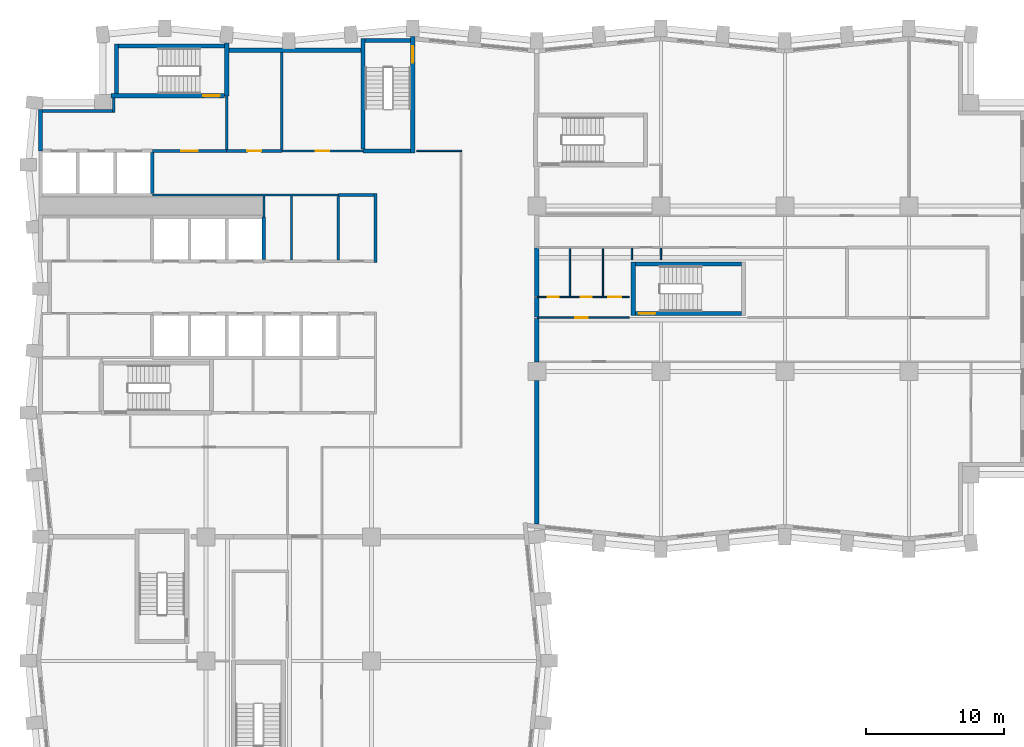
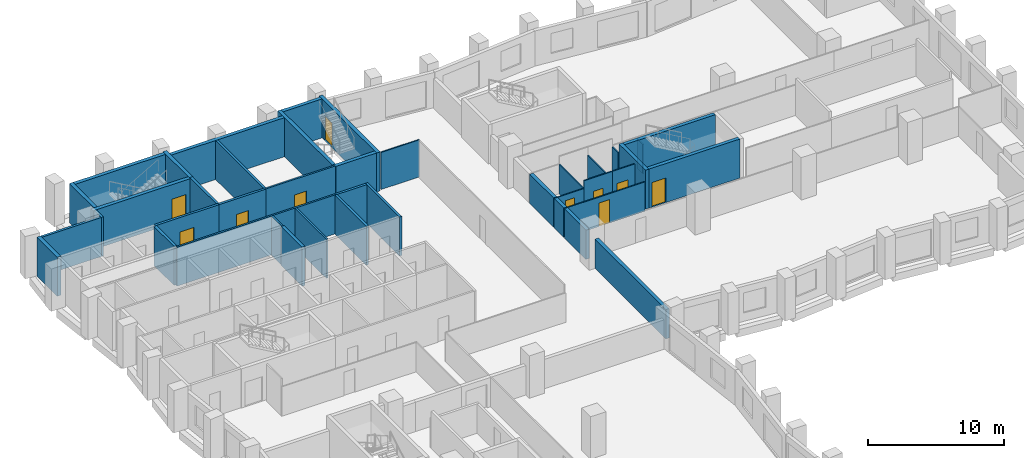
# One storey, part 6 of 11: 41 walls, 10 doors, 10 openings.
"""IFC4 building model written with IfcOpenShell, lengths in metres."""

import ifcopenshell
import ifcopenshell.guid

model = None  # the IFC model being written
_history = None  # IfcOwnerHistory: only IFC2X3 demands one
_inside = {}  # id of a spatial element -> (the spatial element, [elements in it])
_under = {}  # id of a project, library or spatial element -> (it, [spatial elements below it])
_declared = {}  # id of a project -> (the project, [libraries it declares])
_typed = {}  # id of a type object -> (the type object, [elements of that type])
_made_of = {}  # id of a material, layer set ... -> (it, [elements and type objects made of it])


def new_model(schema):
    """Start an empty IFC model of exactly this schema.

    Asked for "IFC4X3", IfcOpenShell would pick the latest addendum, in which some entities
    have other attributes; the version numbers below select the first issue.
    IFC2X3 requires an IfcOwnerHistory on every rooted entity: one is made here for all.
    """
    global model, _history
    if schema == "IFC4X3":
        model = ifcopenshell.file(schema_version=(4, 3, 0, 0))
    else:
        model = ifcopenshell.file(schema=schema)
    _inside.clear()
    _under.clear()
    _declared.clear()
    _typed.clear()
    _made_of.clear()
    _history = None
    if model.schema == "IFC2X3":
        org = make("IfcOrganization", Name="unknown")
        user = make(
            "IfcPersonAndOrganization",
            ThePerson=make("IfcPerson", FamilyName="unknown"),
            TheOrganization=org,
        )
        app = make(
            "IfcApplication",
            ApplicationDeveloper=org,
            Version="unknown",
            ApplicationFullName="unknown",
            ApplicationIdentifier="unknown",
        )
        _history = make(
            "IfcOwnerHistory",
            OwningUser=user,
            OwningApplication=app,
            ChangeAction="ADDED",
            CreationDate=0,
        )
    return model


def make(cls, **values):
    """One entity of the class cls with the attributes given. An attribute that is None is left unset."""
    return model.create_entity(
        cls, **{name: value for name, value in values.items() if value is not None}
    )


def rooted(cls, **values):
    """An entity with a GlobalId (a new one), such as an element, a storey or a relation."""
    return make(cls, GlobalId=ifcopenshell.guid.new(), OwnerHistory=_history, **values)


def si_unit(unit_type, name, prefix=None):
    """IfcSIUnit, for example si_unit("LENGTHUNIT", "METRE", prefix="MILLI")."""
    return make("IfcSIUnit", UnitType=unit_type, Prefix=prefix, Name=name)


def assignment(units):
    """IfcUnitAssignment: the units of a project."""
    return None if units is None else make("IfcUnitAssignment", Units=units)


def point(xyz):
    """IfcCartesianPoint."""
    return None if xyz is None else make("IfcCartesianPoint", Coordinates=xyz)


def direction(xyz):
    """IfcDirection."""
    return None if xyz is None else make("IfcDirection", DirectionRatios=xyz)


def frame(location, z_axis=None, x_axis=None):
    """IfcAxis2Placement3D, a coordinate frame: its origin and axes. An axis left out is left unset."""
    return make(
        "IfcAxis2Placement3D",
        Location=point(location),
        Axis=direction(z_axis),
        RefDirection=direction(x_axis),
    )


def frame_2d(location, x_axis=None):
    """IfcAxis2Placement2D, a coordinate frame in the plane: its origin and x axis."""
    return make(
        "IfcAxis2Placement2D", Location=point(location), RefDirection=direction(x_axis)
    )


def origin():
    """The frame at (0, 0, 0) with its axes left unset."""
    return frame((0.0, 0.0, 0.0))


def place(relative_to, where):
    """IfcLocalPlacement: puts the frame where relative to a parent placement (None: the world)."""
    return make(
        "IfcLocalPlacement", PlacementRelTo=relative_to, RelativePlacement=where
    )


def context(
    kind, dimensions, precision=None, world=None, true_north=None, identifier=None
):
    """IfcGeometricRepresentationContext, for example the 3D "Model" context."""
    return make(
        "IfcGeometricRepresentationContext",
        ContextIdentifier=identifier,
        ContextType=kind,
        CoordinateSpaceDimension=dimensions,
        Precision=precision,
        WorldCoordinateSystem=world,
        TrueNorth=true_north,
    )


def subcontext(parent, identifier, kind, view, scale=None):
    """IfcGeometricRepresentationSubContext, for example "Body" below "Model"."""
    return make(
        "IfcGeometricRepresentationSubContext",
        ContextIdentifier=identifier,
        ContextType=kind,
        ParentContext=parent,
        TargetScale=scale,
        TargetView=view,
    )


def project(units=None, contexts=None):
    """IfcProject with its units and contexts."""
    return rooted(
        "IfcProject",
        Name="project",
        RepresentationContexts=contexts,
        UnitsInContext=assignment(units),
    )


def spatial(cls, under=None, at=None, **own):
    """A site, building, storey or space (cls), placed at a placement, below another one or the project."""
    s = rooted(cls, ObjectPlacement=at, **own)
    if under is not None:
        _under.setdefault(under.id(), (under, []))[1].append(s)
    return s


def profile(cls, at=None, kind="AREA", **sizes):
    """A parametric profile (cls). Its sizes go by their IFC names, for example OverallWidth=200.0."""
    return make(cls, ProfileType=kind, Position=at, **sizes)


def rectangle(**sizes):
    """IfcRectangleProfileDef."""
    return profile("IfcRectangleProfileDef", **sizes)


def extrude(swept, where, along, depth):
    """IfcExtrudedAreaSolid: the profile swept, set in the frame where, extruded along a direction by depth."""
    return make(
        "IfcExtrudedAreaSolid",
        SweptArea=swept,
        Position=where,
        ExtrudedDirection=direction(along),
        Depth=depth,
    )


def shape(context_of_items, identifier, shape_type, items):
    """IfcShapeRepresentation: the items that make up one representation, for example the "Body"."""
    return make(
        "IfcShapeRepresentation",
        ContextOfItems=context_of_items,
        RepresentationIdentifier=identifier,
        RepresentationType=shape_type,
        Items=items,
    )


def material(Name=None, Category=None):
    """IfcMaterial."""
    return make("IfcMaterial", Name=Name, Category=Category)


def layer(
    of_material, thickness, ventilated=None, Name=None, Category=None, Priority=None
):
    """IfcMaterialLayer: one layer of a wall or slab, of a material (None: an air gap)."""
    return make(
        "IfcMaterialLayer",
        Material=of_material,
        LayerThickness=thickness,
        IsVentilated=ventilated,
        Name=Name,
        Category=Category,
        Priority=Priority,
    )


def layer_set(layers, Name=None):
    """IfcMaterialLayerSet."""
    return make("IfcMaterialLayerSet", MaterialLayers=layers, LayerSetName=Name)


def made_of(thing, what):
    """Note that an element or type object is made of a material, layer set ...; save() writes the relation."""
    if what is not None:
        _made_of.setdefault(what.id(), (what, []))[1].append(thing)
    return thing


def type_object(cls, material=None, **own):
    """A type object (cls), such as IfcWallType, which elements share."""
    return made_of(rooted(cls, **own), material)


def element(
    cls,
    number,
    at=None,
    inside=None,
    cuts=None,
    type_object=None,
    material=None,
    context=None,
    identifier="Body",
    shape_type=None,
    held_by="IfcProductDefinitionShape",
    body=None,
    shapes=None,
    **own,
):
    """One element of the class cls, such as IfcWall. Its Tag is "e" and its number.

    at: its placement. inside: the storey or other place that contains it. cuts: it is an
    opening in that element (IfcRelVoidsElement). A single representation is given by context,
    identifier, shape_type and body (its items); several are given by shapes. held_by: the class
    of the entity that holds the representations. save() writes the other relations.
    """
    e = rooted(cls, Tag="e%d" % number, ObjectPlacement=at, **own)
    if body is not None:
        shapes = [shape(context, identifier, shape_type, body)]
    if shapes is not None:
        e.Representation = make(held_by, Representations=shapes)
    if inside is not None:
        _inside.setdefault(inside.id(), (inside, []))[1].append(e)
    if cuts is not None:
        rooted(
            "IfcRelVoidsElement", RelatingBuildingElement=cuts, RelatedOpeningElement=e
        )
    if type_object is not None:
        _typed.setdefault(type_object.id(), (type_object, []))[1].append(e)
    return made_of(e, material)


def fill(opening, filler):
    """IfcRelFillsElement: the door or window that sits in an opening."""
    return rooted(
        "IfcRelFillsElement",
        RelatingOpeningElement=opening,
        RelatedBuildingElement=filler,
    )


def aggregate(whole, parts):
    """IfcRelAggregates: a whole, such as a stair, and the parts it consists of."""
    return rooted("IfcRelAggregates", RelatingObject=whole, RelatedObjects=parts)


def save(model, path):
    """Write the relations noted so far, then the file.

    IfcRelAggregates (storeys below a building ...), IfcRelContainedInSpatialStructure (elements
    in a storey), IfcRelDefinesByType, IfcRelAssociatesMaterial and IfcRelDeclares: one each for
    every whole, place, type object, material and project.
    """
    for whole, parts in _under.values():
        aggregate(whole, parts)
    for where, things in _inside.values():
        rooted(
            "IfcRelContainedInSpatialStructure",
            RelatedElements=things,
            RelatingStructure=where,
        )
    for kind, things in _typed.values():
        rooted("IfcRelDefinesByType", RelatedObjects=things, RelatingType=kind)
    for what, things in _made_of.values():
        rooted("IfcRelAssociatesMaterial", RelatedObjects=things, RelatingMaterial=what)
    for by, libraries in _declared.values():
        rooted("IfcRelDeclares", RelatingContext=by, RelatedDefinitions=libraries)
    model.write(path)


model = new_model("IFC4")

# Units and contexts
model_context = context("Model", 3, precision=1e-05, world=origin(), true_north=direction((0.0, 1.0)))
body_context = subcontext(model_context, "Body", "Model", "MODEL_VIEW")
ifc_project = project(units=[si_unit("LENGTHUNIT", "METRE"), si_unit("AREAUNIT", "SQUARE_METRE"), si_unit("VOLUMEUNIT", "CUBIC_METRE"), si_unit("PLANEANGLEUNIT", "RADIAN"), si_unit("MASSUNIT", "GRAM", prefix="KILO")], contexts=[model_context])

# Site, building, storey
site_placement = place(None, origin())
site = spatial("IfcSite", under=ifc_project, at=site_placement, CompositionType="ELEMENT")
building_placement = place(site_placement, origin())
building = spatial("IfcBuilding", under=site, at=building_placement, Name="Brondeck Convention Tower", CompositionType="ELEMENT")
storey_placement = place(building_placement, frame((0.0, 0.0, 130.300048828125)))
storey = spatial("IfcBuildingStorey", under=building, at=storey_placement, Name="L31", CompositionType="ELEMENT", Elevation=130.300048828125)

# Walls
ifc_material_1 = material(Name="Concrete compartment wall C30/37", Category="concrete")
ifc_layer_1 = layer(ifc_material_1, 0.300048828125)
ifc_layer_set_1 = layer_set([ifc_layer_1], Name="Compartment wall 300")
wall_type_1 = type_object("IfcWallType", Name="Compartment wall 300", PredefinedType="PARTITIONING", material=ifc_layer_set_1)
wall_1_placement = place(storey_placement, frame((36.0, 27.924560546875, 0.0), z_axis=(0.0, 0.0, 1.0), x_axis=(0.0, 1.0, 0.0)))
element("IfcWall", 1, at=wall_1_placement, inside=storey, type_object=wall_type_1, Name="FLR-L31-W021", PredefinedType="PARTITIONING", context=body_context, shape_type="SweptSolid", body=[
    extrude(rectangle(XDim=10.42041015625, YDim=0.300048828125, at=frame_2d((5.210205078125, 0.0))), origin(), (0.0, 0.0, 1.0), 2.6298828125),
])
wall_2_placement = place(storey_placement, frame((36.0, 39.669921875, 0.0), z_axis=(0.0, 0.0, 1.0), x_axis=(0.0, 1.0, 0.0)))
element("IfcWall", 2, at=wall_2_placement, inside=storey, type_object=wall_type_1, Name="FLR-L31-W029", PredefinedType="PARTITIONING", context=body_context, shape_type="SweptSolid", body=[
    extrude(rectangle(XDim=3.18017578125, YDim=0.300048828125, at=frame_2d((1.590087890625, 0.0))), origin(), (0.0, 0.0, 1.0), 2.6298828125),
])
wall_3_placement = place(storey_placement, frame((36.0, 42.949951171875, 0.0), z_axis=(0.0, 0.0, 1.0), x_axis=(0.0, 1.0, 0.0)))
element("IfcWall", 3, at=wall_3_placement, inside=storey, type_object=wall_type_1, Name="FLR-L31-W033", PredefinedType="PARTITIONING", context=body_context, shape_type="SweptSolid", body=[
    extrude(rectangle(XDim=1.400146484375, YDim=0.300048828125, at=frame_2d((0.7001953125, 0.0))), origin(), (0.0, 0.0, 1.0), 2.6298828125),
])
wall_4_placement = place(storey_placement, frame((36.0, 44.449951171875, 0.0), z_axis=(0.0, 0.0, 1.0), x_axis=(0.0, 1.0, 0.0)))
element("IfcWall", 4, at=wall_4_placement, inside=storey, type_object=wall_type_1, Name="FLR-L31-W038", PredefinedType="PARTITIONING", context=body_context, shape_type="SweptSolid", body=[
    extrude(rectangle(XDim=3.5, YDim=0.300048828125, at=frame_2d((1.75, 0.0))), origin(), (0.0, 0.0, 1.0), 2.6298828125),
])
ifc_material_2 = material(Name="Concrete C70/85", Category="concrete")
ifc_layer_2 = layer(ifc_material_2, 0.199951171875)
ifc_layer_set_2 = layer_set([ifc_layer_2], Name="Core beam-seat wall 200 Concrete C70/85")
wall_type_2 = type_object("IfcWallType", Name="Core beam-seat wall 200 Concrete C70/85", PredefinedType="SHEAR", material=ifc_layer_set_2)
wall_5_placement = place(storey_placement, frame((24.300048828125, 46.89990234375, 0.0), z_axis=(0.0, 0.0, 1.0), x_axis=(0.0, 1.0, 0.0)))
element("IfcWall", 5, at=wall_5_placement, inside=storey, type_object=wall_type_2, Name="L31 core wall", PredefinedType="SHEAR", context=body_context, shape_type="SweptSolid", body=[
    extrude(rectangle(XDim=5.0, YDim=0.199951171875, at=frame_2d((2.5, 0.0))), origin(), (0.0, 0.0, 1.0), 3.5),
])
ifc_layer_3 = layer(ifc_material_2, 0.300048828125)
ifc_layer_set_3 = layer_set([ifc_layer_3], Name="Core outer wall 300 Concrete C70/85")
wall_type_3 = type_object("IfcWallType", Name="Core outer wall 300 Concrete C70/85", PredefinedType="SHEAR", material=ifc_layer_set_3)
wall_6_placement = place(storey_placement, frame((13.64990234375, 62.300048828125, 0.0), z_axis=(0.0, 0.0, 1.0), x_axis=(1.0, 0.0, 0.0)))
element("IfcWall", 6, at=wall_6_placement, inside=storey, type_object=wall_type_3, Name="L31 core wall", PredefinedType="SHEAR", context=body_context, shape_type="SweptSolid", body=[
    extrude(rectangle(XDim=9.60009765625, YDim=0.300048828125, at=frame_2d((4.800048828125, 0.0))), origin(), (0.0, 0.0, 1.0), 3.5),
])
wall_7_placement = place(storey_placement, frame((0.0, 55.0, 0.0), z_axis=(0.0, 0.0, 1.0), x_axis=(0.0, 1.0, 0.0)))
element("IfcWall", 7, at=wall_7_placement, inside=storey, type_object=wall_type_3, Name="L31 core wall", PredefinedType="SHEAR", context=body_context, shape_type="SweptSolid", body=[
    extrude(rectangle(XDim=3.0, YDim=0.300048828125, at=frame_2d((1.5, 0.0))), origin(), (0.0, 0.0, 1.0), 3.5),
])
ifc_material_3 = material(Name="Fire-rated gypsum board partition")
ifc_layer_4 = layer(ifc_material_3, 0.14990234375)
ifc_layer_set_4 = layer_set([ifc_layer_4], Name="Core partition 150 EI 60")
wall_type_4 = type_object("IfcWallType", Name="Core partition 150 EI 60", PredefinedType="PARTITIONING", material=ifc_layer_set_4)
wall_8_placement = place(storey_placement, frame((8.10009765625, 51.800048828125, 0.0), z_axis=(0.0, 0.0, 1.0), x_axis=(1.0, 0.0, 0.0)))
element("IfcWall", 8, at=wall_8_placement, inside=storey, type_object=wall_type_4, Name="L31 core wall", PredefinedType="PARTITIONING", context=body_context, shape_type="SweptSolid", body=[
    extrude(rectangle(XDim=13.5, YDim=0.14990234375, at=frame_2d((6.75, 0.0))), origin(), (0.0, 0.0, 1.0), 3.5),
])

# Wall, opening, door
wall_9_placement = place(storey_placement, frame((17.5, 55.0, 0.0), z_axis=(0.0, 0.0, 1.0), x_axis=(1.0, 0.0, 0.0)))
wall_9 = element("IfcWall", 9, at=wall_9_placement, inside=storey, type_object=wall_type_4, Name="L31 core wall", PredefinedType="PARTITIONING", context=body_context, shape_type="SweptSolid", body=[
    extrude(rectangle(XDim=5.89990234375, YDim=0.14990234375, at=frame_2d((2.949951171875, 0.0))), origin(), (0.0, 0.0, 1.0), 3.5),
])
opening_1_placement = place(wall_9_placement, frame((2.449951171875, 0.0, 0.0)))
opening_1 = element("IfcOpeningElement", 10, at=opening_1_placement, cuts=wall_9, Name="Opening C18-15", PredefinedType="OPENING", context=body_context, shape_type="SweptSolid", body=[
    extrude(rectangle(XDim=1.0, YDim=2.10009765625, at=frame_2d((0.5, 1.050048828125))), frame((0.0, 0.0849609375, 0.0), z_axis=(0.0, -1.0, 0.0), x_axis=(1.0, 0.0, 0.0)), (0.0, 0.0, 1.0), 0.169921875),
])
ifc_material_4 = material(Name="Steel fire door", Category="steel")
door_type_1 = type_object("IfcDoorType", Name="Room door 1000x2100 EI 60", OperationType="NOTDEFINED", PredefinedType="DOOR", material=ifc_material_4)
door_1_placement = place(opening_1_placement, origin())
door_1 = element("IfcDoor", 11, at=door_1_placement, inside=storey, type_object=door_type_1, Name="L31 Room door NE-2", OperationType="SINGLE_SWING_RIGHT", OverallHeight=2.10009765625, OverallWidth=1.0, PredefinedType="DOOR", context=body_context, shape_type="SweptSolid", body=[
    extrude(rectangle(XDim=1.0, YDim=2.10009765625, at=frame_2d((0.5, 1.050048828125))), frame((0.0, 0.02490234375, 0.0), z_axis=(0.0, -1.0, 0.0), x_axis=(1.0, 0.0, 0.0)), (0.0, 0.0, 1.0), 0.050048828125),
])
fill(opening_1, door_1)

# Walls
wall_10_placement = place(storey_placement, frame((16.199951171875, 50.199951171875, 0.0), z_axis=(0.0, 0.0, 1.0), x_axis=(0.0, 1.0, 0.0)))
element("IfcWall", 12, at=wall_10_placement, inside=storey, type_object=wall_type_4, Name="L31 core wall", PredefinedType="PARTITIONING", context=body_context, shape_type="SweptSolid", body=[
    extrude(rectangle(XDim=1.525146484375, YDim=0.14990234375, at=frame_2d((0.7626953125, 0.0))), origin(), (0.0, 0.0, 1.0), 3.5),
])
wall_11_placement = place(storey_placement, frame((18.199951171875, 47.10009765625, 0.0), z_axis=(0.0, 0.0, 1.0), x_axis=(0.0, 1.0, 0.0)))
element("IfcWall", 13, at=wall_11_placement, inside=storey, type_object=wall_type_4, Name="L31 core wall", PredefinedType="PARTITIONING", context=body_context, shape_type="SweptSolid", body=[
    extrude(rectangle(XDim=4.625, YDim=0.14990234375, at=frame_2d((2.3125, 0.0))), origin(), (0.0, 0.0, 1.0), 3.5),
])

# Wall, opening, door
ifc_layer_5 = layer(ifc_material_3, 0.199951171875)
ifc_layer_set_5 = layer_set([ifc_layer_5], Name="Firefighting lobby wall 200 EI 120")
wall_type_5 = type_object("IfcWallType", Name="Firefighting lobby wall 200 EI 120", PredefinedType="PARTITIONING", material=ifc_layer_set_5)
wall_12_placement = place(storey_placement, frame((8.10009765625, 55.0, 0.0), z_axis=(0.0, 0.0, 1.0), x_axis=(1.0, 0.0, 0.0)))
wall_12 = element("IfcWall", 14, at=wall_12_placement, inside=storey, type_object=wall_type_5, Name="L31 core wall", PredefinedType="PARTITIONING", context=body_context, shape_type="SweptSolid", body=[
    extrude(rectangle(XDim=5.39990234375, YDim=0.199951171875, at=frame_2d((2.699951171875, 0.0))), origin(), (0.0, 0.0, 1.0), 3.5),
])
opening_2_placement = place(wall_12_placement, frame((2.10009765625, 0.0, 0.0)))
opening_2 = element("IfcOpeningElement", 15, at=opening_2_placement, cuts=wall_12, Name="Opening C18-01", PredefinedType="OPENING", context=body_context, shape_type="SweptSolid", body=[
    extrude(rectangle(XDim=1.199951171875, YDim=2.199951171875, at=frame_2d((0.60009765625, 1.10009765625))), frame((0.0, 0.10986328125, 0.0), z_axis=(0.0, -1.0, 0.0), x_axis=(1.0, 0.0, 0.0)), (0.0, 0.0, 1.0), 0.219970703125),
])
door_type_2 = type_object("IfcDoorType", Name="Firefighting lobby door 1200x2200 EI 120", OperationType="NOTDEFINED", PredefinedType="DOOR", material=ifc_material_4)
door_2_placement = place(opening_2_placement, origin())
door_2 = element("IfcDoor", 16, at=door_2_placement, inside=storey, type_object=door_type_2, Name="L31 Firefighting lobby door FFL-1", OperationType="SINGLE_SWING_RIGHT", OverallHeight=2.199951171875, OverallWidth=1.199951171875, PredefinedType="DOOR", context=body_context, shape_type="SweptSolid", body=[
    extrude(rectangle(XDim=1.199951171875, YDim=2.199951171875, at=frame_2d((0.60009765625, 1.10009765625))), frame((0.0, 0.02490234375, 0.0), z_axis=(0.0, -1.0, 0.0), x_axis=(1.0, 0.0, 0.0)), (0.0, 0.0, 1.0), 0.050048828125),
])
fill(opening_2, door_2)

# Walls
wall_13_placement = place(storey_placement, frame((0.14990234375, 57.89990234375, 0.0), z_axis=(0.0, 0.0, 1.0), x_axis=(1.0, 0.0, 0.0)))
element("IfcWall", 17, at=wall_13_placement, inside=storey, type_object=wall_type_5, Name="L31 core wall", PredefinedType="PARTITIONING", context=body_context, shape_type="SweptSolid", body=[
    extrude(rectangle(XDim=5.050048828125, YDim=0.199951171875, at=frame_2d((2.52490234375, 0.0))), origin(), (0.0, 0.0, 1.0), 3.5),
])
wall_14_placement = place(storey_placement, frame((5.300048828125, 57.800048828125, 0.0), z_axis=(0.0, 0.0, 1.0), x_axis=(0.0, 1.0, 0.0)))
element("IfcWall", 18, at=wall_14_placement, inside=storey, type_object=wall_type_5, Name="L31 core wall", PredefinedType="PARTITIONING", context=body_context, shape_type="SweptSolid", body=[
    extrude(rectangle(XDim=1.050048828125, YDim=0.199951171875, at=frame_2d((0.52490234375, 0.0))), origin(), (0.0, 0.0, 1.0), 3.5),
])
wall_15_placement = place(storey_placement, frame((13.5, 55.10009765625, 0.0), z_axis=(0.0, 0.0, 1.0), x_axis=(0.0, 1.0, 0.0)))
element("IfcWall", 19, at=wall_15_placement, inside=storey, type_object=wall_type_5, Name="L31 core wall", PredefinedType="PARTITIONING", context=body_context, shape_type="SweptSolid", body=[
    extrude(rectangle(XDim=3.89990234375, YDim=0.199951171875, at=frame_2d((1.949951171875, 0.0))), origin(), (0.0, 0.0, 1.0), 3.5),
])
ifc_layer_6 = layer(ifc_material_2, 0.25)
ifc_layer_set_6 = layer_set([ifc_layer_6], Name="Lift shaft wall 250 Concrete C70/85")
wall_type_6 = type_object("IfcWallType", Name="Lift shaft wall 250 Concrete C70/85", PredefinedType="SHEAR", material=ifc_layer_set_6)
wall_16_placement = place(storey_placement, frame((8.10009765625, 51.925048828125, 0.0), z_axis=(0.0, 0.0, 1.0), x_axis=(0.0, 1.0, 0.0)))
element("IfcWall", 20, at=wall_16_placement, inside=storey, type_object=wall_type_6, Name="L31 core wall", PredefinedType="SHEAR", context=body_context, shape_type="SweptSolid", body=[
    extrude(rectangle(XDim=2.949951171875, YDim=0.25, at=frame_2d((1.47509765625, 0.0))), origin(), (0.0, 0.0, 1.0), 3.5),
])
wall_17_placement = place(storey_placement, frame((16.199951171875, 47.125, 0.0), z_axis=(0.0, 0.0, 1.0), x_axis=(0.0, 1.0, 0.0)))
element("IfcWall", 21, at=wall_17_placement, inside=storey, type_object=wall_type_6, Name="L31 core wall", PredefinedType="SHEAR", context=body_context, shape_type="SweptSolid", body=[
    extrude(rectangle(XDim=3.074951171875, YDim=0.25, at=frame_2d((1.53759765625, 0.0))), origin(), (0.0, 0.0, 1.0), 3.5),
])
ifc_layer_7 = layer(ifc_material_3, 0.199951171875)
ifc_layer_set_7 = layer_set([ifc_layer_7], Name="Riser wall 200 EI 120")
wall_type_7 = type_object("IfcWallType", Name="Riser wall 200 EI 120", PredefinedType="PARTITIONING", material=ifc_layer_set_7)
wall_18_placement = place(storey_placement, frame((21.60009765625, 51.800048828125, 0.0), z_axis=(0.0, 0.0, 1.0), x_axis=(1.0, 0.0, 0.0)))
element("IfcWall", 22, at=wall_18_placement, inside=storey, type_object=wall_type_7, Name="L31 core wall", PredefinedType="PARTITIONING", context=body_context, shape_type="SweptSolid", body=[
    extrude(rectangle(XDim=2.599853515625, YDim=0.199951171875, at=frame_2d((1.2998046875, 0.0))), origin(), (0.0, 0.0, 1.0), 3.5),
])

# Wall, opening, door
wall_19_placement = place(storey_placement, frame((13.5, 55.0, 0.0), z_axis=(0.0, 0.0, 1.0), x_axis=(1.0, 0.0, 0.0)))
wall_19 = element("IfcWall", 23, at=wall_19_placement, inside=storey, type_object=wall_type_7, Name="L31 core wall", PredefinedType="PARTITIONING", context=body_context, shape_type="SweptSolid", body=[
    extrude(rectangle(XDim=4.0, YDim=0.199951171875, at=frame_2d((2.0, 0.0))), origin(), (0.0, 0.0, 1.0), 3.5),
])
opening_3_placement = place(wall_19_placement, frame((1.5, 0.0, 0.0)))
opening_3 = element("IfcOpeningElement", 24, at=opening_3_placement, cuts=wall_19, Name="Opening C18-14", PredefinedType="OPENING", context=body_context, shape_type="SweptSolid", body=[
    extrude(rectangle(XDim=1.0, YDim=2.10009765625, at=frame_2d((0.5, 1.050048828125))), frame((0.0, 0.10986328125, 0.0), z_axis=(0.0, -1.0, 0.0), x_axis=(1.0, 0.0, 0.0)), (0.0, 0.0, 1.0), 0.219970703125),
])
door_type_3 = type_object("IfcDoorType", Name="Riser door 1000x2100 EI 120", OperationType="NOTDEFINED", PredefinedType="DOOR", material=ifc_material_4)
door_3_placement = place(opening_3_placement, origin())
door_3 = element("IfcDoor", 25, at=door_3_placement, inside=storey, type_object=door_type_3, Name="L31 Riser door NE-1", OperationType="SINGLE_SWING_LEFT", OverallHeight=2.10009765625, OverallWidth=1.0, PredefinedType="DOOR", context=body_context, shape_type="SweptSolid", body=[
    extrude(rectangle(XDim=1.0, YDim=2.10009765625, at=frame_2d((0.5, 1.050048828125))), frame((0.0, 0.02490234375, 0.0), z_axis=(0.0, -1.0, 0.0), x_axis=(1.0, 0.0, 0.0)), (0.0, 0.0, 1.0), 0.050048828125),
])
fill(opening_3, door_3)

# Walls
wall_20_placement = place(storey_placement, frame((17.5, 55.10009765625, 0.0), z_axis=(0.0, 0.0, 1.0), x_axis=(0.0, 1.0, 0.0)))
element("IfcWall", 26, at=wall_20_placement, inside=storey, type_object=wall_type_7, Name="L31 core wall", PredefinedType="PARTITIONING", context=body_context, shape_type="SweptSolid", body=[
    extrude(rectangle(XDim=7.0498046875, YDim=0.199951171875, at=frame_2d((3.52490234375, 0.0))), origin(), (0.0, 0.0, 1.0), 3.5),
])
wall_21_placement = place(storey_placement, frame((21.60009765625, 47.10009765625, 0.0), z_axis=(0.0, 0.0, 1.0), x_axis=(0.0, 1.0, 0.0)))
element("IfcWall", 27, at=wall_21_placement, inside=storey, type_object=wall_type_7, Name="L31 core wall", PredefinedType="PARTITIONING", context=body_context, shape_type="SweptSolid", body=[
    extrude(rectangle(XDim=4.599853515625, YDim=0.199951171875, at=frame_2d((2.2998046875, 0.0))), origin(), (0.0, 0.0, 1.0), 3.5),
])

# Wall, opening, door
ifc_material_5 = material(Name="Gypsum board partition on steel studs", Category="steel")
ifc_layer_8 = layer(ifc_material_5, 0.10009765625)
ifc_layer_set_8 = layer_set([ifc_layer_8], Name="Room partition 100")
wall_type_8 = type_object("IfcWallType", Name="Room partition 100", PredefinedType="PARTITIONING", material=ifc_layer_set_8)
wall_22_placement = place(storey_placement, frame((36.050048828125, 42.89990234375, 0.0), z_axis=(0.0, 0.0, 1.0), x_axis=(1.0, 0.0, 0.0)))
wall_22 = element("IfcWall", 28, at=wall_22_placement, inside=storey, type_object=wall_type_8, Name="FLR-L31-W030", PredefinedType="PARTITIONING", context=body_context, shape_type="SweptSolid", body=[
    extrude(rectangle(XDim=6.64990234375, YDim=0.10009765625, at=frame_2d((3.324951171875, 0.0))), origin(), (0.0, 0.0, 1.0), 2.6298828125),
])
opening_4_placement = place(wall_22_placement, frame((2.75, 0.0, 0.0)))
opening_4 = element("IfcOpeningElement", 29, at=opening_4_placement, cuts=wall_22, Name="Opening OF-E-002", PredefinedType="OPENING", context=body_context, shape_type="SweptSolid", body=[
    extrude(rectangle(XDim=0.89990234375, YDim=2.10009765625, at=frame_2d((0.449951171875, 1.050048828125))), frame((0.0, 0.06005859375, 0.0), z_axis=(0.0, -1.0, 0.0), x_axis=(1.0, 0.0, 0.0)), (0.0, 0.0, 1.0), 0.1201171875),
])
ifc_material_6 = material(Name="Solid timber door leaf", Category="wood")
door_type_4 = type_object("IfcDoorType", Name="Single door 900", OperationType="NOTDEFINED", PredefinedType="DOOR", material=ifc_material_6)
door_4_placement = place(opening_4_placement, origin())
door_4 = element("IfcDoor", 30, at=door_4_placement, inside=storey, type_object=door_type_4, Name="Door OF-E-002", OperationType="SINGLE_SWING_LEFT", OverallHeight=2.10009765625, OverallWidth=0.89990234375, PredefinedType="DOOR", context=body_context, shape_type="SweptSolid", body=[
    extrude(rectangle(XDim=0.89990234375, YDim=2.10009765625, at=frame_2d((0.449951171875, 1.050048828125))), frame((0.0, 0.02490234375, 0.0), z_axis=(0.0, -1.0, 0.0), x_axis=(1.0, 0.0, 0.0)), (0.0, 0.0, 1.0), 0.050048828125),
])
fill(opening_4, door_4)

wall_23_placement = place(storey_placement, frame((36.050048828125, 44.39990234375, 0.0), z_axis=(0.0, 0.0, 1.0), x_axis=(1.0, 0.0, 0.0)))
wall_23 = element("IfcWall", 31, at=wall_23_placement, inside=storey, type_object=wall_type_8, Name="FLR-L31-W035", PredefinedType="PARTITIONING", context=body_context, shape_type="SweptSolid", body=[
    extrude(rectangle(XDim=2.349853515625, YDim=0.10009765625, at=frame_2d((1.1748046875, 0.0))), origin(), (0.0, 0.0, 1.0), 2.6298828125),
])
opening_5_placement = place(wall_23_placement, frame((0.75, 0.0, 0.0)))
opening_5 = element("IfcOpeningElement", 32, at=opening_5_placement, cuts=wall_23, Name="Opening OF-E-003", PredefinedType="OPENING", context=body_context, shape_type="SweptSolid", body=[
    extrude(rectangle(XDim=0.800048828125, YDim=2.10009765625, at=frame_2d((0.39990234375, 1.050048828125))), frame((0.0, 0.06005859375, 0.0), z_axis=(0.0, -1.0, 0.0), x_axis=(1.0, 0.0, 0.0)), (0.0, 0.0, 1.0), 0.1201171875),
])
door_type_5 = type_object("IfcDoorType", Name="En-suite door 800", OperationType="NOTDEFINED", PredefinedType="DOOR", material=ifc_material_6)
door_5_placement = place(opening_5_placement, origin())
door_5 = element("IfcDoor", 33, at=door_5_placement, inside=storey, type_object=door_type_5, Name="Door OF-E-003", OperationType="SINGLE_SWING_LEFT", OverallHeight=2.10009765625, OverallWidth=0.800048828125, PredefinedType="DOOR", context=body_context, shape_type="SweptSolid", body=[
    extrude(rectangle(XDim=0.800048828125, YDim=2.10009765625, at=frame_2d((0.39990234375, 1.050048828125))), frame((0.0, 0.02490234375, 0.0), z_axis=(0.0, -1.0, 0.0), x_axis=(1.0, 0.0, 0.0)), (0.0, 0.0, 1.0), 0.050048828125),
])
fill(opening_5, door_5)

wall_24_placement = place(storey_placement, frame((38.39990234375, 44.39990234375, 0.0), z_axis=(0.0, 0.0, 1.0), x_axis=(1.0, 0.0, 0.0)))
wall_24 = element("IfcWall", 34, at=wall_24_placement, inside=storey, type_object=wall_type_8, Name="FLR-L31-W036", PredefinedType="PARTITIONING", context=body_context, shape_type="SweptSolid", body=[
    extrude(rectangle(XDim=2.400146484375, YDim=0.10009765625, at=frame_2d((1.2001953125, 0.0))), origin(), (0.0, 0.0, 1.0), 3.329833984375),
])
opening_6_placement = place(wall_24_placement, frame((0.800048828125, 0.0, 0.0)))
opening_6 = element("IfcOpeningElement", 35, at=opening_6_placement, cuts=wall_24, Name="Opening OF-E-004", PredefinedType="OPENING", context=body_context, shape_type="SweptSolid", body=[
    extrude(rectangle(XDim=0.800048828125, YDim=2.10009765625, at=frame_2d((0.39990234375, 1.050048828125))), frame((0.0, 0.06005859375, 0.0), z_axis=(0.0, -1.0, 0.0), x_axis=(1.0, 0.0, 0.0)), (0.0, 0.0, 1.0), 0.1201171875),
])
door_6_placement = place(opening_6_placement, origin())
door_6 = element("IfcDoor", 36, at=door_6_placement, inside=storey, type_object=door_type_5, Name="Door OF-E-004", OperationType="SINGLE_SWING_RIGHT", OverallHeight=2.10009765625, OverallWidth=0.800048828125, PredefinedType="DOOR", context=body_context, shape_type="SweptSolid", body=[
    extrude(rectangle(XDim=0.800048828125, YDim=2.10009765625, at=frame_2d((0.39990234375, 1.050048828125))), frame((0.0, 0.02490234375, 0.0), z_axis=(0.0, -1.0, 0.0), x_axis=(1.0, 0.0, 0.0)), (0.0, 0.0, 1.0), 0.050048828125),
])
fill(opening_6, door_6)

wall_25_placement = place(storey_placement, frame((40.800048828125, 44.39990234375, 0.0), z_axis=(0.0, 0.0, 1.0), x_axis=(1.0, 0.0, 0.0)))
wall_25 = element("IfcWall", 37, at=wall_25_placement, inside=storey, type_object=wall_type_8, Name="FLR-L31-W037", PredefinedType="PARTITIONING", context=body_context, shape_type="SweptSolid", body=[
    extrude(rectangle(XDim=1.89990234375, YDim=0.10009765625, at=frame_2d((0.949951171875, 0.0))), origin(), (0.0, 0.0, 1.0), 3.329833984375),
])
opening_7_placement = place(wall_25_placement, frame((0.375, 0.0, 0.0)))
opening_7 = element("IfcOpeningElement", 38, at=opening_7_placement, cuts=wall_25, Name="Opening OF-E-005", PredefinedType="OPENING", context=body_context, shape_type="SweptSolid", body=[
    extrude(rectangle(XDim=0.949951171875, YDim=2.10009765625, at=frame_2d((0.47509765625, 1.050048828125))), frame((0.0, 0.06005859375, 0.0), z_axis=(0.0, -1.0, 0.0), x_axis=(1.0, 0.0, 0.0)), (0.0, 0.0, 1.0), 0.1201171875),
])
door_type_6 = type_object("IfcDoorType", Name="Accessible door 950", OperationType="NOTDEFINED", PredefinedType="DOOR", material=ifc_material_6)
door_7_placement = place(opening_7_placement, origin())
door_7 = element("IfcDoor", 39, at=door_7_placement, inside=storey, type_object=door_type_6, Name="Door OF-E-005", OperationType="SINGLE_SWING_LEFT", OverallHeight=2.10009765625, OverallWidth=0.949951171875, PredefinedType="DOOR", context=body_context, shape_type="SweptSolid", body=[
    extrude(rectangle(XDim=0.949951171875, YDim=2.10009765625, at=frame_2d((0.47509765625, 1.050048828125))), frame((0.0, 0.02490234375, 0.0), z_axis=(0.0, -1.0, 0.0), x_axis=(1.0, 0.0, 0.0)), (0.0, 0.0, 1.0), 0.050048828125),
])
fill(opening_7, door_7)

# Walls
for number, where, z_axis, x_axis, name in (
    (40, (38.39990234375, 47.949951171875, 0.0), (0.0, 0.0, 1.0), (0.0, -1.0, 0.0), "FLR-L31-W040"),
    (41, (40.800048828125, 47.949951171875, 0.0), (0.0, 0.0, 1.0), (0.0, -1.0, 0.0), "FLR-L31-W041"),
):
    element("IfcWall", number, at=place(storey_placement, frame(where, z_axis=z_axis, x_axis=x_axis)), inside=storey, type_object=wall_type_8, Name=name, PredefinedType="PARTITIONING", context=body_context, shape_type="SweptSolid", body=[
        extrude(rectangle(XDim=3.5, YDim=0.10009765625, at=frame_2d((1.75, 0.0))), origin(), (0.0, 0.0, 1.0), 2.6298828125),
    ])
for number, where, z_axis, x_axis, name in (
    (42, (42.89990234375, 47.949951171875, 0.0), (0.0, 0.0, 1.0), (0.0, -1.0, 0.0), "FLR-L31-W042"),
    (43, (45.0, 47.949951171875, 0.0), (0.0, 0.0, 1.0), (0.0, -1.0, 0.0), "FLR-L31-W043"),
):
    element("IfcWall", number, at=place(storey_placement, frame(where, z_axis=z_axis, x_axis=x_axis)), inside=storey, type_object=wall_type_8, Name=name, PredefinedType="PARTITIONING", context=body_context, shape_type="SweptSolid", body=[
        extrude(rectangle(XDim=0.849853515625, YDim=0.10009765625, at=frame_2d((0.4248046875, 0.0))), origin(), (0.0, 0.0, 1.0), 2.6298828125),
    ])
wall_26_placement = place(storey_placement, frame((27.300048828125, 55.0, 0.0), z_axis=(0.0, 0.0, 1.0), x_axis=(1.0, 0.0, 0.0)))
element("IfcWall", 44, at=wall_26_placement, inside=storey, type_object=wall_type_8, Name="FLR-L31-W059", PredefinedType="PARTITIONING", context=body_context, shape_type="SweptSolid", body=[
    extrude(rectangle(XDim=3.25, YDim=0.10009765625, at=frame_2d((1.625, 0.0))), origin(), (0.0, 0.0, 1.0), 3.329833984375),
])

# Wall, opening, door
ifc_layer_9 = layer(ifc_material_2, 0.300048828125)
ifc_layer_set_9 = layer_set([ifc_layer_9], Name="Stair enclosure wall 300 Concrete C70/85")
wall_type_9 = type_object("IfcWallType", Name="Stair enclosure wall 300 Concrete C70/85", PredefinedType="SHEAR", material=ifc_layer_set_9)
wall_27_placement = place(storey_placement, frame((43.14990234375, 43.199951171875, 0.0), z_axis=(0.0, 0.0, 1.0), x_axis=(1.0, 0.0, 0.0)))
wall_27 = element("IfcWall", 45, at=wall_27_placement, inside=storey, type_object=wall_type_9, Name="L31 core wall", PredefinedType="SHEAR", context=body_context, shape_type="SweptSolid", body=[
    extrude(rectangle(XDim=7.7001953125, YDim=0.300048828125, at=frame_2d((3.85009765625, 0.0))), origin(), (0.0, 0.0, 1.0), 3.5),
])
opening_8_placement = place(wall_27_placement, frame((0.25, 0.0, 0.0)))
opening_8 = element("IfcOpeningElement", 46, at=opening_8_placement, cuts=wall_27, Name="Opening C18-20", PredefinedType="OPENING", context=body_context, shape_type="SweptSolid", body=[
    extrude(rectangle(XDim=1.199951171875, YDim=2.199951171875, at=frame_2d((0.60009765625, 1.10009765625))), frame((0.0, 0.159912109375, 0.0), z_axis=(0.0, -1.0, 0.0), x_axis=(1.0, 0.0, 0.0)), (0.0, 0.0, 1.0), 0.320068359375),
])
door_type_7 = type_object("IfcDoorType", Name="Stair door 1200x2200 EI 90", OperationType="NOTDEFINED", PredefinedType="DOOR", material=ifc_material_4)
door_8_placement = place(opening_8_placement, origin())
door_8 = element("IfcDoor", 47, at=door_8_placement, inside=storey, type_object=door_type_7, Name="L31 Stair door ST-AF", OperationType="SINGLE_SWING_RIGHT", OverallHeight=2.199951171875, OverallWidth=1.199951171875, PredefinedType="DOOR", context=body_context, shape_type="SweptSolid", body=[
    extrude(rectangle(XDim=1.199951171875, YDim=2.199951171875, at=frame_2d((0.60009765625, 1.10009765625))), frame((0.0, 0.02490234375, 0.0), z_axis=(0.0, -1.0, 0.0), x_axis=(1.0, 0.0, 0.0)), (0.0, 0.0, 1.0), 0.050048828125),
])
fill(opening_8, door_8)

# Walls
wall_28_placement = place(storey_placement, frame((43.14990234375, 46.800048828125, 0.0), z_axis=(0.0, 0.0, 1.0), x_axis=(1.0, 0.0, 0.0)))
element("IfcWall", 48, at=wall_28_placement, inside=storey, type_object=wall_type_9, Name="L31 core wall", PredefinedType="SHEAR", context=body_context, shape_type="SweptSolid", body=[
    extrude(rectangle(XDim=7.7001953125, YDim=0.300048828125, at=frame_2d((3.85009765625, 0.0))), origin(), (0.0, 0.0, 1.0), 3.5),
])
wall_29_placement = place(storey_placement, frame((23.39990234375, 55.0, 0.0), z_axis=(0.0, 0.0, 1.0), x_axis=(1.0, 0.0, 0.0)))
element("IfcWall", 49, at=wall_29_placement, inside=storey, type_object=wall_type_9, Name="L31 core wall", PredefinedType="SHEAR", context=body_context, shape_type="SweptSolid", body=[
    extrude(rectangle(XDim=3.4501953125, YDim=0.300048828125, at=frame_2d((1.72509765625, 0.0))), origin(), (0.0, 0.0, 1.0), 3.5),
])

# Wall, opening, door
wall_30_placement = place(storey_placement, frame((5.10009765625, 59.0, 0.0), z_axis=(0.0, 0.0, 1.0), x_axis=(1.0, 0.0, 0.0)))
wall_30 = element("IfcWall", 50, at=wall_30_placement, inside=storey, type_object=wall_type_9, Name="L31 core wall", PredefinedType="SHEAR", context=body_context, shape_type="SweptSolid", body=[
    extrude(rectangle(XDim=8.25, YDim=0.300048828125, at=frame_2d((4.125, 0.0))), origin(), (0.0, 0.0, 1.0), 3.5),
])
opening_9_placement = place(wall_30_placement, frame((6.699951171875, 0.0, 0.0)))
opening_9 = element("IfcOpeningElement", 51, at=opening_9_placement, cuts=wall_30, Name="Opening C18-18", PredefinedType="OPENING", context=body_context, shape_type="SweptSolid", body=[
    extrude(rectangle(XDim=1.199951171875, YDim=2.199951171875, at=frame_2d((0.60009765625, 1.10009765625))), frame((0.0, 0.159912109375, 0.0), z_axis=(0.0, -1.0, 0.0), x_axis=(1.0, 0.0, 0.0)), (0.0, 0.0, 1.0), 0.320068359375),
])
door_type_8 = type_object("IfcDoorType", Name="Stair door 1200x2200 EI 120", OperationType="NOTDEFINED", PredefinedType="DOOR", material=ifc_material_4)
door_9_placement = place(opening_9_placement, origin())
door_9 = element("IfcDoor", 52, at=door_9_placement, inside=storey, type_object=door_type_8, Name="L31 Stair door ST-3", OperationType="SINGLE_SWING_RIGHT", OverallHeight=2.199951171875, OverallWidth=1.199951171875, PredefinedType="DOOR", context=body_context, shape_type="SweptSolid", body=[
    extrude(rectangle(XDim=1.199951171875, YDim=2.199951171875, at=frame_2d((0.60009765625, 1.10009765625))), frame((0.0, 0.02490234375, 0.0), z_axis=(0.0, -1.0, 0.0), x_axis=(1.0, 0.0, 0.0)), (0.0, 0.0, 1.0), 0.050048828125),
])
fill(opening_9, door_9)

# Walls
wall_31_placement = place(storey_placement, frame((5.64990234375, 62.60009765625, 0.0), z_axis=(0.0, 0.0, 1.0), x_axis=(1.0, 0.0, 0.0)))
element("IfcWall", 53, at=wall_31_placement, inside=storey, type_object=wall_type_9, Name="L31 core wall", PredefinedType="SHEAR", context=body_context, shape_type="SweptSolid", body=[
    extrude(rectangle(XDim=7.7001953125, YDim=0.300048828125, at=frame_2d((3.85009765625, 0.0))), origin(), (0.0, 0.0, 1.0), 3.5),
])
wall_32_placement = place(storey_placement, frame((23.550048828125, 63.0, 0.0), z_axis=(0.0, 0.0, 1.0), x_axis=(1.0, 0.0, 0.0)))
element("IfcWall", 54, at=wall_32_placement, inside=storey, type_object=wall_type_9, Name="L31 core wall", PredefinedType="SHEAR", context=body_context, shape_type="SweptSolid", body=[
    extrude(rectangle(XDim=3.300048828125, YDim=0.300048828125, at=frame_2d((1.64990234375, 0.0))), origin(), (0.0, 0.0, 1.0), 3.5),
])
wall_33_placement = place(storey_placement, frame((5.5, 59.14990234375, 0.0), z_axis=(0.0, 0.0, 1.0), x_axis=(0.0, 1.0, 0.0)))
element("IfcWall", 55, at=wall_33_placement, inside=storey, type_object=wall_type_9, Name="L31 core wall", PredefinedType="SHEAR", context=body_context, shape_type="SweptSolid", body=[
    extrude(rectangle(XDim=3.60009765625, YDim=0.300048828125, at=frame_2d((1.800048828125, 0.0))), origin(), (0.0, 0.0, 1.0), 3.5),
])
wall_34_placement = place(storey_placement, frame((13.5, 59.0, 0.0), z_axis=(0.0, 0.0, 1.0), x_axis=(0.0, 1.0, 0.0)))
element("IfcWall", 56, at=wall_34_placement, inside=storey, type_object=wall_type_9, Name="L31 core wall", PredefinedType="SHEAR", context=body_context, shape_type="SweptSolid", body=[
    extrude(rectangle(XDim=3.846923828125, YDim=0.300048828125, at=frame_2d((1.92333984375, 0.0))), origin(), (0.0, 0.0, 1.0), 3.5),
])
wall_35_placement = place(storey_placement, frame((23.39990234375, 55.14990234375, 0.0), z_axis=(0.0, 0.0, 1.0), x_axis=(0.0, 1.0, 0.0)))
element("IfcWall", 57, at=wall_35_placement, inside=storey, type_object=wall_type_9, Name="L31 core wall", PredefinedType="SHEAR", context=body_context, shape_type="SweptSolid", body=[
    extrude(rectangle(XDim=8.0, YDim=0.300048828125, at=frame_2d((4.0, 0.0))), origin(), (0.0, 0.0, 1.0), 3.5),
])

# Wall, opening, door
wall_36_placement = place(storey_placement, frame((27.0, 54.85009765625, 0.0), z_axis=(0.0, 0.0, 1.0), x_axis=(0.0, 1.0, 0.0)))
wall_36 = element("IfcWall", 58, at=wall_36_placement, inside=storey, type_object=wall_type_9, Name="L31 core wall", PredefinedType="SHEAR", context=body_context, shape_type="SweptSolid", body=[
    extrude(rectangle(XDim=8.449951171875, YDim=0.300048828125, at=frame_2d((4.22509765625, 0.0))), origin(), (0.0, 0.0, 1.0), 3.5),
])
opening_10_placement = place(wall_36_placement, frame((6.550048828125, 0.0, 0.0)))
opening_10 = element("IfcOpeningElement", 59, at=opening_10_placement, cuts=wall_36, Name="Opening C18-17", PredefinedType="OPENING", context=body_context, shape_type="SweptSolid", body=[
    extrude(rectangle(XDim=1.199951171875, YDim=2.199951171875, at=frame_2d((0.60009765625, 1.10009765625))), frame((0.0, 0.159912109375, 0.0), z_axis=(0.0, -1.0, 0.0), x_axis=(1.0, 0.0, 0.0)), (0.0, 0.0, 1.0), 0.320068359375),
])
door_10_placement = place(opening_10_placement, origin())
door_10 = element("IfcDoor", 60, at=door_10_placement, inside=storey, type_object=door_type_7, Name="L31 Stair door ST-2", OperationType="SINGLE_SWING_LEFT", OverallHeight=2.199951171875, OverallWidth=1.199951171875, PredefinedType="DOOR", context=body_context, shape_type="SweptSolid", body=[
    extrude(rectangle(XDim=1.199951171875, YDim=2.199951171875, at=frame_2d((0.60009765625, 1.10009765625))), frame((0.0, 0.02490234375, 0.0), z_axis=(0.0, -1.0, 0.0), x_axis=(1.0, 0.0, 0.0)), (0.0, 0.0, 1.0), 0.050048828125),
])
fill(opening_10, door_10)

# Wall
wall_37_placement = place(storey_placement, frame((43.0, 43.050048828125, 0.0), z_axis=(0.0, 0.0, 1.0), x_axis=(0.0, 1.0, 0.0)))
element("IfcWall", 61, at=wall_37_placement, inside=storey, type_object=wall_type_9, Name="L31 core wall", PredefinedType="SHEAR", context=body_context, shape_type="SweptSolid", body=[
    extrude(rectangle(XDim=3.89990234375, YDim=0.300048828125, at=frame_2d((1.949951171875, 0.0))), origin(), (0.0, 0.0, 1.0), 3.5),
])

save(model, "model.ifc")
